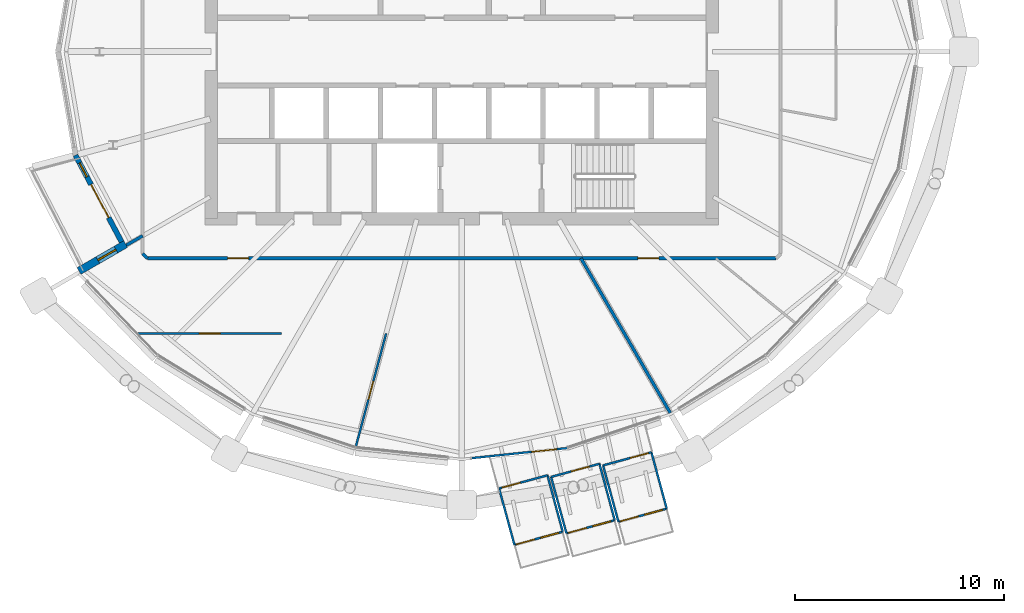
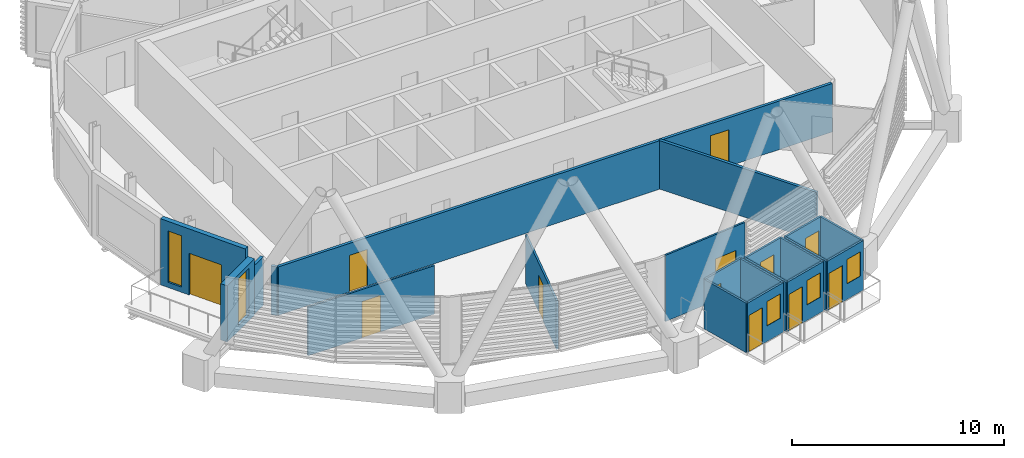
# One storey, part 22 of 35: 21 walls, 12 doors, 5 windows, 17 openings.
"""IFC4 building model written with IfcOpenShell, lengths in metres."""

from ifc_helpers import new_model, si_unit, direction, frame, frame_2d, origin, place, context, subcontext, project, spatial, rectangle, extrude, material, layer, layer_set, type_object, element, fill, save


model = new_model("IFC4")

# Units and contexts
model_context = context("Model", 3, precision=1e-05, world=origin(), true_north=direction((0.0, 1.0)))
body_context = subcontext(model_context, "Body", "Model", "MODEL_VIEW")
ifc_project = project(units=[si_unit("LENGTHUNIT", "METRE"), si_unit("AREAUNIT", "SQUARE_METRE"), si_unit("VOLUMEUNIT", "CUBIC_METRE"), si_unit("PLANEANGLEUNIT", "RADIAN"), si_unit("MASSUNIT", "GRAM", prefix="KILO")], contexts=[model_context])

# Site, building, storey
site_placement = place(None, origin())
site = spatial("IfcSite", under=ifc_project, at=site_placement, CompositionType="ELEMENT")
building_placement = place(site_placement, origin())
building = spatial("IfcBuilding", under=site, at=building_placement, Name="Rimbun Link Towers", CompositionType="ELEMENT")
storey_placement = place(building_placement, frame((0.0, 0.0, 181.699951171875)))
storey = spatial("IfcBuildingStorey", under=building, at=storey_placement, Name="L44", CompositionType="ELEMENT", Elevation=181.699951171875)

# Wall, openings, door, window
ifc_material_1 = material(Name="Terracotta-faced insulated sandwich panel", Category="masonry")
ifc_layer_1 = layer(ifc_material_1, 0.10009765625)
ifc_layer_set_1 = layer_set([ifc_layer_1], Name="CAPSULE entrance panel 100")
wall_type_1 = type_object("IfcWallType", Name="CAPSULE entrance panel 100", PredefinedType="STANDARD", material=ifc_layer_set_1)
wall_1_placement = place(storey_placement, frame((-24.246337890625, -22.5126953125, 0.0), z_axis=(0.0, 0.0, 1.0), x_axis=(0.965115063511, 0.261826114405, 0.0)))
wall_1 = element("IfcWall", 1, at=wall_1_placement, inside=storey, type_object=wall_type_1, Name="CAPSULE D441.01 shell panel 2", PredefinedType="STANDARD", context=body_context, shape_type="SweptSolid", body=[
    extrude(rectangle(XDim=2.400146484375, YDim=0.10009765625, at=frame_2d((1.2001953125, 0.0))), origin(), (0.0, 0.0, 1.0), 2.85009765625),
])
opening_1_placement = place(wall_1_placement, frame((0.10009765625, 0.0, 0.0)))
opening_1 = element("IfcOpeningElement", 2, at=opening_1_placement, cuts=wall_1, Name="Opening CD44.01", PredefinedType="OPENING", context=body_context, shape_type="SweptSolid", body=[
    extrude(rectangle(XDim=0.89990234375, YDim=2.10009765625, at=frame_2d((0.449951171875, 1.050048828125))), frame((0.0, 0.06005859375, 0.0), z_axis=(0.0, -1.0, 0.0), x_axis=(1.0, 0.0, 0.0)), (0.0, 0.0, 1.0), 0.1201171875),
])
opening_2_placement = place(wall_1_placement, frame((1.300048828125, 0.0, 0.89990234375)))
opening_2 = element("IfcOpeningElement", 3, at=opening_2_placement, cuts=wall_1, Name="Opening CN44.01", PredefinedType="OPENING", context=body_context, shape_type="SweptSolid", body=[
    extrude(rectangle(XDim=0.89990234375, YDim=1.39990234375, at=frame_2d((0.449951171875, 0.699951171875))), frame((0.0, 0.06005859375, 0.0), z_axis=(0.0, -1.0, 0.0), x_axis=(1.0, 0.0, 0.0)), (0.0, 0.0, 1.0), 0.1201171875),
])
ifc_material_2 = material(Name="Aluminium framed insulated door leaf", Category="aluminium")
door_type_1 = type_object("IfcDoorType", Name="CAPSULE door single leaf 900X2100", OperationType="SINGLE_SWING_LEFT", PredefinedType="DOOR", material=ifc_material_2)
door_1_placement = place(opening_1_placement, origin())
door_1 = element("IfcDoor", 4, at=door_1_placement, inside=storey, type_object=door_type_1, Name="CAPSULE D441.01 door", OperationType="SINGLE_SWING_LEFT", OverallHeight=2.10009765625, OverallWidth=0.89990234375, PredefinedType="DOOR", context=body_context, shape_type="SweptSolid", body=[
    extrude(rectangle(XDim=0.89990234375, YDim=2.10009765625, at=frame_2d((0.449951171875, 1.050048828125))), frame((0.0, 0.02490234375, 0.0), z_axis=(0.0, -1.0, 0.0), x_axis=(1.0, 0.0, 0.0)), (0.0, 0.0, 1.0), 0.050048828125),
])
fill(opening_1, door_1)
ifc_material_3 = material(Name="Aluminium framed window, low-iron glass", Category="aluminium")
window_type_1 = type_object("IfcWindowType", Name="CAPSULE window 900X1400", PartitioningType="SINGLE_PANEL", PredefinedType="WINDOW", material=ifc_material_3)
window_1_placement = place(opening_2_placement, origin())
window_1 = element("IfcWindow", 5, at=window_1_placement, inside=storey, type_object=window_type_1, Name="CAPSULE D441.01 window", OverallHeight=1.39990234375, OverallWidth=0.89990234375, PartitioningType="SINGLE_PANEL", PredefinedType="WINDOW", context=body_context, shape_type="SweptSolid", body=[
    extrude(rectangle(XDim=0.89990234375, YDim=1.39990234375, at=frame_2d((0.449951171875, 0.699951171875))), frame((0.0, 0.030029296875, 0.0), z_axis=(0.0, -1.0, 0.0), x_axis=(1.0, 0.0, 0.0)), (0.0, 0.0, 1.0), 0.06005859375),
])
fill(opening_2, window_1)

# Wall, opening, door
wall_2_placement = place(storey_placement, frame((-22.6630859375, -19.18212890625, 0.0), z_axis=(0.0, 0.0, 1.0), x_axis=(-0.965115063511, -0.261826114405, 0.0)))
wall_2 = element("IfcWall", 6, at=wall_2_placement, inside=storey, type_object=wall_type_1, Name="CAPSULE D441.01 shell panel 4", PredefinedType="STANDARD", context=body_context, shape_type="SweptSolid", body=[
    extrude(rectangle(XDim=2.400146484375, YDim=0.10009765625, at=frame_2d((1.2001953125, 0.0))), origin(), (0.0, 0.0, 1.0), 2.85009765625),
])
opening_3_placement = place(wall_2_placement, frame((0.14990234375, 0.0, 0.0)))
opening_3 = element("IfcOpeningElement", 7, at=opening_3_placement, cuts=wall_2, Name="Opening CE44.01", PredefinedType="OPENING", context=body_context, shape_type="SweptSolid", body=[
    extrude(rectangle(XDim=0.89990234375, YDim=2.10009765625, at=frame_2d((0.449951171875, 1.050048828125))), frame((0.0, 0.06005859375, 0.0), z_axis=(0.0, -1.0, 0.0), x_axis=(1.0, 0.0, 0.0)), (0.0, 0.0, 1.0), 0.1201171875),
])
door_2_placement = place(opening_3_placement, origin())
door_2 = element("IfcDoor", 8, at=door_2_placement, inside=storey, type_object=door_type_1, Name="CAPSULE D441.01 inner door", OperationType="SINGLE_SWING_LEFT", OverallHeight=2.10009765625, OverallWidth=0.89990234375, PredefinedType="DOOR", context=body_context, shape_type="SweptSolid", body=[
    extrude(rectangle(XDim=0.89990234375, YDim=2.10009765625, at=frame_2d((0.449951171875, 1.050048828125))), frame((0.0, 0.02490234375, 0.0), z_axis=(0.0, -1.0, 0.0), x_axis=(1.0, 0.0, 0.0)), (0.0, 0.0, 1.0), 0.050048828125),
])
fill(opening_3, door_2)

# Wall, openings, door, window
wall_3_placement = place(storey_placement, frame((-26.73583984375, -23.06494140625, 0.0), z_axis=(0.0, 0.0, 1.0), x_axis=(0.965115063511, 0.261826114405, 0.0)))
wall_3 = element("IfcWall", 9, at=wall_3_placement, inside=storey, type_object=wall_type_1, Name="CAPSULE D441.02 shell panel 2", PredefinedType="STANDARD", context=body_context, shape_type="SweptSolid", body=[
    extrude(rectangle(XDim=2.400146484375, YDim=0.10009765625, at=frame_2d((1.2001953125, 0.0))), origin(), (0.0, 0.0, 1.0), 2.85009765625),
])
opening_4_placement = place(wall_3_placement, frame((0.10009765625, 0.0, 0.0)))
opening_4 = element("IfcOpeningElement", 10, at=opening_4_placement, cuts=wall_3, Name="Opening CD44.02", PredefinedType="OPENING", context=body_context, shape_type="SweptSolid", body=[
    extrude(rectangle(XDim=0.89990234375, YDim=2.10009765625, at=frame_2d((0.449951171875, 1.050048828125))), frame((0.0, 0.06005859375, 0.0), z_axis=(0.0, -1.0, 0.0), x_axis=(1.0, 0.0, 0.0)), (0.0, 0.0, 1.0), 0.1201171875),
])
opening_5_placement = place(wall_3_placement, frame((1.300048828125, 0.0, 0.89990234375)))
opening_5 = element("IfcOpeningElement", 11, at=opening_5_placement, cuts=wall_3, Name="Opening CN44.02", PredefinedType="OPENING", context=body_context, shape_type="SweptSolid", body=[
    extrude(rectangle(XDim=0.89990234375, YDim=1.39990234375, at=frame_2d((0.449951171875, 0.699951171875))), frame((0.0, 0.06005859375, 0.0), z_axis=(0.0, -1.0, 0.0), x_axis=(1.0, 0.0, 0.0)), (0.0, 0.0, 1.0), 0.1201171875),
])
door_3_placement = place(opening_4_placement, origin())
door_3 = element("IfcDoor", 12, at=door_3_placement, inside=storey, type_object=door_type_1, Name="CAPSULE D441.02 door", OperationType="SINGLE_SWING_RIGHT", OverallHeight=2.10009765625, OverallWidth=0.89990234375, PredefinedType="DOOR", context=body_context, shape_type="SweptSolid", body=[
    extrude(rectangle(XDim=0.89990234375, YDim=2.10009765625, at=frame_2d((0.449951171875, 1.050048828125))), frame((0.0, 0.02490234375, 0.0), z_axis=(0.0, -1.0, 0.0), x_axis=(1.0, 0.0, 0.0)), (0.0, 0.0, 1.0), 0.050048828125),
])
fill(opening_4, door_3)
window_2_placement = place(opening_5_placement, origin())
window_2 = element("IfcWindow", 13, at=window_2_placement, inside=storey, type_object=window_type_1, Name="CAPSULE D441.02 window", OverallHeight=1.39990234375, OverallWidth=0.89990234375, PartitioningType="SINGLE_PANEL", PredefinedType="WINDOW", context=body_context, shape_type="SweptSolid", body=[
    extrude(rectangle(XDim=0.89990234375, YDim=1.39990234375, at=frame_2d((0.449951171875, 0.699951171875))), frame((0.0, 0.030029296875, 0.0), z_axis=(0.0, -1.0, 0.0), x_axis=(1.0, 0.0, 0.0)), (0.0, 0.0, 1.0), 0.06005859375),
])
fill(opening_5, window_2)

# Wall, opening, door
wall_4_placement = place(storey_placement, frame((-25.152587890625, -19.734130859375, 0.0), z_axis=(0.0, 0.0, 1.0), x_axis=(-0.965115063511, -0.261826114405, 0.0)))
wall_4 = element("IfcWall", 14, at=wall_4_placement, inside=storey, type_object=wall_type_1, Name="CAPSULE D441.02 shell panel 4", PredefinedType="STANDARD", context=body_context, shape_type="SweptSolid", body=[
    extrude(rectangle(XDim=2.400146484375, YDim=0.10009765625, at=frame_2d((1.2001953125, 0.0))), origin(), (0.0, 0.0, 1.0), 2.85009765625),
])
opening_6_placement = place(wall_4_placement, frame((0.5, 0.0, 0.0)))
opening_6 = element("IfcOpeningElement", 15, at=opening_6_placement, cuts=wall_4, Name="Opening CE44.02", PredefinedType="OPENING", context=body_context, shape_type="SweptSolid", body=[
    extrude(rectangle(XDim=0.89990234375, YDim=2.10009765625, at=frame_2d((0.449951171875, 1.050048828125))), frame((0.0, 0.06005859375, 0.0), z_axis=(0.0, -1.0, 0.0), x_axis=(1.0, 0.0, 0.0)), (0.0, 0.0, 1.0), 0.1201171875),
])
door_4_placement = place(opening_6_placement, origin())
door_4 = element("IfcDoor", 16, at=door_4_placement, inside=storey, type_object=door_type_1, Name="CAPSULE D441.02 inner door", OperationType="SINGLE_SWING_LEFT", OverallHeight=2.10009765625, OverallWidth=0.89990234375, PredefinedType="DOOR", context=body_context, shape_type="SweptSolid", body=[
    extrude(rectangle(XDim=0.89990234375, YDim=2.10009765625, at=frame_2d((0.449951171875, 1.050048828125))), frame((0.0, 0.02490234375, 0.0), z_axis=(0.0, -1.0, 0.0), x_axis=(1.0, 0.0, 0.0)), (0.0, 0.0, 1.0), 0.050048828125),
])
fill(opening_6, door_4)

# Wall, openings, door, window
wall_5_placement = place(storey_placement, frame((-29.225341796875, -23.616943359375, 0.0), z_axis=(0.0, 0.0, 1.0), x_axis=(0.965115063511, 0.261826114405, 0.0)))
wall_5 = element("IfcWall", 17, at=wall_5_placement, inside=storey, type_object=wall_type_1, Name="CAPSULE D441.03 shell panel 2", PredefinedType="STANDARD", context=body_context, shape_type="SweptSolid", body=[
    extrude(rectangle(XDim=2.400146484375, YDim=0.10009765625, at=frame_2d((1.2001953125, 0.0))), origin(), (0.0, 0.0, 1.0), 2.85009765625),
])
opening_7_placement = place(wall_5_placement, frame((0.10009765625, 0.0, 0.0)))
opening_7 = element("IfcOpeningElement", 18, at=opening_7_placement, cuts=wall_5, Name="Opening CD44.03", PredefinedType="OPENING", context=body_context, shape_type="SweptSolid", body=[
    extrude(rectangle(XDim=0.89990234375, YDim=2.10009765625, at=frame_2d((0.449951171875, 1.050048828125))), frame((0.0, 0.06005859375, 0.0), z_axis=(0.0, -1.0, 0.0), x_axis=(1.0, 0.0, 0.0)), (0.0, 0.0, 1.0), 0.1201171875),
])
opening_8_placement = place(wall_5_placement, frame((1.300048828125, 0.0, 0.89990234375)))
opening_8 = element("IfcOpeningElement", 19, at=opening_8_placement, cuts=wall_5, Name="Opening CN44.03", PredefinedType="OPENING", context=body_context, shape_type="SweptSolid", body=[
    extrude(rectangle(XDim=0.89990234375, YDim=1.39990234375, at=frame_2d((0.449951171875, 0.699951171875))), frame((0.0, 0.06005859375, 0.0), z_axis=(0.0, -1.0, 0.0), x_axis=(1.0, 0.0, 0.0)), (0.0, 0.0, 1.0), 0.1201171875),
])
door_5_placement = place(opening_7_placement, origin())
door_5 = element("IfcDoor", 20, at=door_5_placement, inside=storey, type_object=door_type_1, Name="CAPSULE D441.03 door", OperationType="SINGLE_SWING_LEFT", OverallHeight=2.10009765625, OverallWidth=0.89990234375, PredefinedType="DOOR", context=body_context, shape_type="SweptSolid", body=[
    extrude(rectangle(XDim=0.89990234375, YDim=2.10009765625, at=frame_2d((0.449951171875, 1.050048828125))), frame((0.0, 0.02490234375, 0.0), z_axis=(0.0, -1.0, 0.0), x_axis=(1.0, 0.0, 0.0)), (0.0, 0.0, 1.0), 0.050048828125),
])
fill(opening_7, door_5)
window_3_placement = place(opening_8_placement, origin())
window_3 = element("IfcWindow", 21, at=window_3_placement, inside=storey, type_object=window_type_1, Name="CAPSULE D441.03 window", OverallHeight=1.39990234375, OverallWidth=0.89990234375, PartitioningType="SINGLE_PANEL", PredefinedType="WINDOW", context=body_context, shape_type="SweptSolid", body=[
    extrude(rectangle(XDim=0.89990234375, YDim=1.39990234375, at=frame_2d((0.449951171875, 0.699951171875))), frame((0.0, 0.030029296875, 0.0), z_axis=(0.0, -1.0, 0.0), x_axis=(1.0, 0.0, 0.0)), (0.0, 0.0, 1.0), 0.06005859375),
])
fill(opening_8, window_3)

# Wall, opening, door
wall_6_placement = place(storey_placement, frame((-27.64208984375, -20.286376953125, 0.0), z_axis=(0.0, 0.0, 1.0), x_axis=(-0.965115063511, -0.261826114405, 0.0)))
wall_6 = element("IfcWall", 22, at=wall_6_placement, inside=storey, type_object=wall_type_1, Name="CAPSULE D441.03 shell panel 4", PredefinedType="STANDARD", context=body_context, shape_type="SweptSolid", body=[
    extrude(rectangle(XDim=2.400146484375, YDim=0.10009765625, at=frame_2d((1.2001953125, 0.0))), origin(), (0.0, 0.0, 1.0), 2.85009765625),
])
opening_9_placement = place(wall_6_placement, frame((1.35009765625, 0.0, 0.0)))
opening_9 = element("IfcOpeningElement", 23, at=opening_9_placement, cuts=wall_6, Name="Opening CE44.03", PredefinedType="OPENING", context=body_context, shape_type="SweptSolid", body=[
    extrude(rectangle(XDim=0.89990234375, YDim=2.10009765625, at=frame_2d((0.449951171875, 1.050048828125))), frame((0.0, 0.06005859375, 0.0), z_axis=(0.0, -1.0, 0.0), x_axis=(1.0, 0.0, 0.0)), (0.0, 0.0, 1.0), 0.1201171875),
])
door_6_placement = place(opening_9_placement, origin())
door_6 = element("IfcDoor", 24, at=door_6_placement, inside=storey, type_object=door_type_1, Name="CAPSULE D441.03 inner door", OperationType="SINGLE_SWING_LEFT", OverallHeight=2.10009765625, OverallWidth=0.89990234375, PredefinedType="DOOR", context=body_context, shape_type="SweptSolid", body=[
    extrude(rectangle(XDim=0.89990234375, YDim=2.10009765625, at=frame_2d((0.449951171875, 1.050048828125))), frame((0.0, 0.02490234375, 0.0), z_axis=(0.0, -1.0, 0.0), x_axis=(1.0, 0.0, 0.0)), (0.0, 0.0, 1.0), 0.050048828125),
])
fill(opening_9, door_6)

# Walls
ifc_material_4 = material(Name="Terracotta-faced insulated sandwich panel", Category="masonry")
ifc_layer_2 = layer(ifc_material_4, 0.10009765625)
ifc_layer_set_2 = layer_set([ifc_layer_2], Name="CAPSULE shell panel 100")
wall_type_2 = type_object("IfcWallType", Name="CAPSULE shell panel 100", PredefinedType="STANDARD", material=ifc_layer_set_2)
for number, where, z_axis, x_axis, name in (
    (25, (-24.9794921875, -19.810546875, 0.0), (0.0, 0.0, 1.0), (0.261855493293, -0.965107092831, 0.0), "CAPSULE D441.01 shell panel 1"),
    (26, (-21.929931640625, -21.88427734375, 0.0), (0.0, 0.0, 1.0), (-0.261855493293, 0.965107092831, 0.0), "CAPSULE D441.01 shell panel 3"),
):
    element("IfcWall", number, at=place(storey_placement, frame(where, z_axis=z_axis, x_axis=x_axis)), inside=storey, type_object=wall_type_2, Name=name, PredefinedType="STANDARD", context=body_context, shape_type="SweptSolid", body=[
        extrude(rectangle(XDim=2.7998046875, YDim=0.10009765625, at=frame_2d((1.39990234375, 0.0))), origin(), (0.0, 0.0, 1.0), 2.85009765625),
    ])
for number, where, z_axis, x_axis, name in (
    (27, (-27.468994140625, -20.362548828125, 0.0), (0.0, 0.0, 1.0), (0.261833458532, -0.965113071092, 0.0), "CAPSULE D441.02 shell panel 1"),
    (28, (-24.41943359375, -22.4365234375, 0.0), (0.0, 0.0, 1.0), (-0.261833458532, 0.965113071092, 0.0), "CAPSULE D441.02 shell panel 3"),
):
    element("IfcWall", number, at=place(storey_placement, frame(where, z_axis=z_axis, x_axis=x_axis)), inside=storey, type_object=wall_type_2, Name=name, PredefinedType="STANDARD", context=body_context, shape_type="SweptSolid", body=[
        extrude(rectangle(XDim=2.800048828125, YDim=0.10009765625, at=frame_2d((1.39990234375, 0.0))), origin(), (0.0, 0.0, 1.0), 2.85009765625),
    ])
for number, where, z_axis, x_axis, name in (
    (29, (-29.95849609375, -20.914794921875, 0.0), (0.0, 0.0, 1.0), (0.261855493293, -0.965107092831, 0.0), "CAPSULE D441.03 shell panel 1"),
    (30, (-26.908935546875, -22.988525390625, 0.0), (0.0, 0.0, 1.0), (-0.261855493293, 0.965107092831, 0.0), "CAPSULE D441.03 shell panel 3"),
):
    element("IfcWall", number, at=place(storey_placement, frame(where, z_axis=z_axis, x_axis=x_axis)), inside=storey, type_object=wall_type_2, Name=name, PredefinedType="STANDARD", context=body_context, shape_type="SweptSolid", body=[
        extrude(rectangle(XDim=2.7998046875, YDim=0.10009765625, at=frame_2d((1.39990234375, 0.0))), origin(), (0.0, 0.0, 1.0), 2.85009765625),
    ])

# Wall, openings, door, window
ifc_material_5 = material(Name="Dark enamelled glass spandrel on insulated aluminium backpan", Category="aluminium")
ifc_layer_3 = layer(ifc_material_5, 0.25)
ifc_layer_set_3 = layer_set([ifc_layer_3], Name="CS dark enamelled spandrel wall 250")
wall_type_3 = type_object("IfcWallType", Name="CS dark enamelled spandrel wall 250", PredefinedType="STANDARD", material=ifc_layer_set_3)
wall_7_placement = place(storey_placement, frame((-48.03125, -9.111328125, 0.0), z_axis=(0.0, 0.0, 1.0), x_axis=(-0.469884338994, 0.882727992061, 0.0)))
wall_7 = element("IfcWall", 31, at=wall_7_placement, inside=storey, type_object=wall_type_3, Name="Crease spandrel wall", PredefinedType="STANDARD", context=body_context, shape_type="SweptSolid", body=[
    extrude(rectangle(XDim=4.699462890625, YDim=0.25, at=frame_2d((2.349609375, 0.0))), origin(), (0.0, 0.0, 1.0), 3.800048828125),
])
opening_10_placement = place(wall_7_placement, frame((3.533203125, 0.0, 0.300048828125)))
opening_10 = element("IfcOpeningElement", 32, at=opening_10_placement, cuts=wall_7, Name="Opening WR08H295", PredefinedType="OPENING", context=body_context, shape_type="SweptSolid", body=[
    extrude(rectangle(XDim=0.75, YDim=2.949951171875, at=frame_2d((0.375, 1.47509765625))), frame((0.0, 0.135009765625, 0.0), z_axis=(0.0, -1.0, 0.0), x_axis=(1.0, 0.0, 0.0)), (0.0, 0.0, 1.0), 0.27001953125),
])
opening_11_placement = place(wall_7_placement, frame((1.316650390625, 0.0, 0.0)))
opening_11 = element("IfcOpeningElement", 33, at=opening_11_placement, cuts=wall_7, Name="Opening ED75", PredefinedType="OPENING", context=body_context, shape_type="SweptSolid", body=[
    extrude(rectangle(XDim=1.800048828125, YDim=2.39990234375, at=frame_2d((0.89990234375, 1.199951171875))), frame((0.0, 0.135009765625, 0.0), z_axis=(0.0, -1.0, 0.0), x_axis=(1.0, 0.0, 0.0)), (0.0, 0.0, 1.0), 0.27001953125),
])
ifc_material_6 = material(Name="Aluminium framed glazed door, low-iron glass", Category="aluminium")
door_type_2 = type_object("IfcDoorType", Name="ED terrace door double leaf 1800X2400", OperationType="DOUBLE_DOOR_SINGLE_SWING", PredefinedType="DOOR", material=ifc_material_6)
door_7_placement = place(opening_11_placement, origin())
door_7 = element("IfcDoor", 34, at=door_7_placement, inside=storey, type_object=door_type_2, Name="Terrace door", OperationType="SINGLE_SWING_LEFT", OverallHeight=2.39990234375, OverallWidth=1.800048828125, PredefinedType="DOOR", context=body_context, shape_type="SweptSolid", body=[
    extrude(rectangle(XDim=1.800048828125, YDim=2.39990234375, at=frame_2d((0.89990234375, 1.199951171875))), frame((0.0, 0.02490234375, 0.0), z_axis=(0.0, -1.0, 0.0), x_axis=(1.0, 0.0, 0.0)), (0.0, 0.0, 1.0), 0.050048828125),
])
fill(opening_11, door_7)
ifc_material_7 = material(Name="Aluminium framed fixed window, dark tinted low-e glass", Category="aluminium")
window_type_2 = type_object("IfcWindowType", Name="WR ribbon window 750X2950", PartitioningType="SINGLE_PANEL", PredefinedType="WINDOW", material=ifc_material_7)
window_4_placement = place(opening_10_placement, origin())
window_4 = element("IfcWindow", 35, at=window_4_placement, inside=storey, type_object=window_type_2, Name="Crease ribbon window", OverallHeight=2.949951171875, OverallWidth=0.75, PartitioningType="SINGLE_PANEL", PredefinedType="WINDOW", context=body_context, shape_type="SweptSolid", body=[
    extrude(rectangle(XDim=0.75, YDim=2.949951171875, at=frame_2d((0.375, 1.47509765625))), frame((0.0, 0.030029296875, 0.0), z_axis=(0.0, -1.0, 0.0), x_axis=(1.0, 0.0, 0.0)), (0.0, 0.0, 1.0), 0.06005859375),
])
fill(opening_10, window_4)

# Wall, opening, window
ifc_material_8 = material(Name="Dark enamelled glass spandrel on insulated aluminium backpan", Category="aluminium")
ifc_layer_4 = layer(ifc_material_8, 0.3701171875)
ifc_layer_set_4 = layer_set([ifc_layer_4], Name="CS dark enamelled spandrel wall 370")
wall_type_4 = type_object("IfcWallType", Name="CS dark enamelled spandrel wall 370", PredefinedType="STANDARD", material=ifc_layer_set_4)
wall_8_placement = place(storey_placement, frame((-50.072265625, -10.50341796875, 0.0), z_axis=(0.0, 0.0, 1.0), x_axis=(0.866021702275, 0.500006411147, 0.0)))
wall_8 = element("IfcWall", 36, at=wall_8_placement, inside=storey, type_object=wall_type_4, Name="Crease spandrel wall", PredefinedType="STANDARD", context=body_context, shape_type="SweptSolid", body=[
    extrude(rectangle(XDim=2.580078125, YDim=0.3701171875, at=frame_2d((1.2900390625, 0.0))), origin(), (0.0, 0.0, 1.0), 3.233642578125),
])
opening_12_placement = place(wall_8_placement, frame((1.041015625, 0.0, 0.300048828125)))
opening_12 = element("IfcOpeningElement", 37, at=opening_12_placement, cuts=wall_8, Name="Opening WR10H270", PredefinedType="OPENING", context=body_context, shape_type="SweptSolid", body=[
    extrude(rectangle(XDim=1.0, YDim=2.699951171875, at=frame_2d((0.5, 1.35009765625))), frame((0.0, 0.195068359375, 0.0), z_axis=(0.0, -1.0, 0.0), x_axis=(1.0, 0.0, 0.0)), (0.0, 0.0, 1.0), 0.39013671875),
])
ifc_material_9 = material(Name="Aluminium framed fixed window, dark tinted low-e glass", Category="aluminium")
window_type_3 = type_object("IfcWindowType", Name="WR ribbon window 1000X2700", PartitioningType="SINGLE_PANEL", PredefinedType="WINDOW", material=ifc_material_9)
window_5_placement = place(opening_12_placement, origin())
window_5 = element("IfcWindow", 38, at=window_5_placement, inside=storey, type_object=window_type_3, Name="Crease ribbon window", OverallHeight=2.699951171875, OverallWidth=1.0, PartitioningType="SINGLE_PANEL", PredefinedType="WINDOW", context=body_context, shape_type="SweptSolid", body=[
    extrude(rectangle(XDim=1.0, YDim=2.699951171875, at=frame_2d((0.5, 1.35009765625))), frame((0.0, 0.030029296875, 0.0), z_axis=(0.0, -1.0, 0.0), x_axis=(1.0, 0.0, 0.0)), (0.0, 0.0, 1.0), 0.06005859375),
])
fill(opening_12, window_5)

# Wall, openings, doors
ifc_material_10 = material(Name="Plasterboard on steel stud, mineral wool", Category="steel")
ifc_layer_5 = layer(ifc_material_10, 0.14990234375)
ifc_layer_set_5 = layer_set([ifc_layer_5], Name="Corridor wall EI 30 150 mm")
wall_type_5 = type_object("IfcWallType", Name="Corridor wall EI 30 150 mm", PredefinedType="PARTITIONING", material=ifc_layer_set_5)
wall_9_placement = place(storey_placement, frame((-16.6962890625, -9.89501953125, 0.0), z_axis=(0.0, 0.0, 1.0), x_axis=(-1.0, 0.0, 0.0)))
wall_9 = element("IfcWall", 39, at=wall_9_placement, inside=storey, type_object=wall_type_5, Name="Corridor wall EI 30 150 mm", PredefinedType="PARTITIONING", context=body_context, shape_type="SweptSolid", body=[
    extrude(rectangle(XDim=30.107421875, YDim=0.14990234375, at=frame_2d((15.0537109375, 0.0))), origin(), (0.0, 0.0, 1.0), 2.7890625),
])
opening_13_placement = place(wall_9_placement, frame((25.255615234375, 0.0, 0.0)))
opening_13 = element("IfcOpeningElement", 40, at=opening_13_placement, cuts=wall_9, Name="Opening D01", PredefinedType="OPENING", context=body_context, shape_type="SweptSolid", body=[
    extrude(rectangle(XDim=1.0, YDim=2.10009765625, at=frame_2d((0.5, 1.050048828125))), frame((0.0, 0.0849609375, 0.0), z_axis=(0.0, -1.0, 0.0), x_axis=(1.0, 0.0, 0.0)), (0.0, 0.0, 1.0), 0.169921875),
])
opening_14_placement = place(wall_9_placement, frame((5.614501953125, 0.0, 0.0)))
opening_14 = element("IfcOpeningElement", 41, at=opening_14_placement, cuts=wall_9, Name="Opening D01", PredefinedType="OPENING", context=body_context, shape_type="SweptSolid", body=[
    extrude(rectangle(XDim=1.0, YDim=2.10009765625, at=frame_2d((0.5, 1.050048828125))), frame((0.0, 0.0849609375, 0.0), z_axis=(0.0, -1.0, 0.0), x_axis=(1.0, 0.0, 0.0)), (0.0, 0.0, 1.0), 0.169921875),
])
ifc_material_11 = material(Name="Fire-resisting timber door leaf", Category="wood")
door_type_3 = type_object("IfcDoorType", Name="Fire door FD30S 1000", OperationType="NOTDEFINED", PredefinedType="DOOR", material=ifc_material_11)
door_8_placement = place(opening_13_placement, origin())
door_8 = element("IfcDoor", 42, at=door_8_placement, inside=storey, type_object=door_type_3, Name="Fire door FD30S 1000 to Tenant lobby", OperationType="SINGLE_SWING_LEFT", OverallHeight=2.10009765625, OverallWidth=1.0, PredefinedType="DOOR", context=body_context, shape_type="SweptSolid", body=[
    extrude(rectangle(XDim=1.0, YDim=2.10009765625, at=frame_2d((0.5, 1.050048828125))), frame((0.0, 0.02490234375, 0.0), z_axis=(0.0, -1.0, 0.0), x_axis=(1.0, 0.0, 0.0)), (0.0, 0.0, 1.0), 0.050048828125),
])
fill(opening_13, door_8)
door_9_placement = place(opening_14_placement, origin())
door_9 = element("IfcDoor", 43, at=door_9_placement, inside=storey, type_object=door_type_3, Name="Fire door FD30S 1000 to Tenant lobby", OperationType="SINGLE_SWING_RIGHT", OverallHeight=2.10009765625, OverallWidth=1.0, PredefinedType="DOOR", context=body_context, shape_type="SweptSolid", body=[
    extrude(rectangle(XDim=1.0, YDim=2.10009765625, at=frame_2d((0.5, 1.050048828125))), frame((0.0, 0.02490234375, 0.0), z_axis=(0.0, -1.0, 0.0), x_axis=(1.0, 0.0, 0.0)), (0.0, 0.0, 1.0), 0.050048828125),
])
fill(opening_14, door_9)

# Wall
wall_10_placement = place(storey_placement, frame((-47.02490234375, -9.673583984375, 0.0), z_axis=(0.0, 0.0, 1.0), x_axis=(0.706716653396, -0.707496693853, 0.0)))
element("IfcWall", 44, at=wall_10_placement, inside=storey, type_object=wall_type_5, Name="Corridor wall EI 30 150 mm", PredefinedType="PARTITIONING", context=body_context, shape_type="SweptSolid", body=[
    extrude(rectangle(XDim=0.31298828125, YDim=0.14990234375, at=frame_2d((0.156494140625, 0.0))), origin(), (0.0, 0.0, 1.0), 2.7890625),
])

# Wall, opening, door
ifc_material_12 = material(Name="Aluminium framed insulated infill panel", Category="aluminium")
ifc_layer_6 = layer(ifc_material_12, 0.10009765625)
ifc_layer_set_6 = layer_set([ifc_layer_6], Name="ED framed infill wall 100")
wall_type_6 = type_object("IfcWallType", Name="ED framed infill wall 100", PredefinedType="STANDARD", material=ifc_layer_set_6)
wall_11_placement = place(storey_placement, frame((-26.692138671875, -18.982666015625, 0.0), z_axis=(0.0, 0.0, 1.0), x_axis=(-0.994499648387, -0.104739912918, 0.0)))
wall_11 = element("IfcWall", 45, at=wall_11_placement, inside=storey, type_object=wall_type_6, Name="Framed door bay wall", PredefinedType="STANDARD", context=body_context, shape_type="SweptSolid", body=[
    extrude(rectangle(XDim=4.610595703125, YDim=0.10009765625, at=frame_2d((2.30517578125, 0.0))), origin(), (0.0, 0.0, 1.0), 3.800048828125),
])
opening_15_placement = place(wall_11_placement, frame((0.514404296875, 0.0, 0.0)))
opening_15 = element("IfcOpeningElement", 46, at=opening_15_placement, cuts=wall_11, Name="Opening ED89", PredefinedType="OPENING", context=body_context, shape_type="SweptSolid", body=[
    extrude(rectangle(XDim=1.199951171875, YDim=2.39990234375, at=frame_2d((0.60009765625, 1.199951171875))), frame((0.0, 0.06005859375, 0.0), z_axis=(0.0, -1.0, 0.0), x_axis=(1.0, 0.0, 0.0)), (0.0, 0.0, 1.0), 0.1201171875),
])
ifc_material_13 = material(Name="Aluminium framed glazed door, low-iron glass", Category="aluminium")
door_type_4 = type_object("IfcDoorType", Name="ED terrace door double leaf 1200X2400", OperationType="DOUBLE_DOOR_SINGLE_SWING", PredefinedType="DOOR", material=ifc_material_13)
door_10_placement = place(opening_15_placement, origin())
door_10 = element("IfcDoor", 47, at=door_10_placement, inside=storey, type_object=door_type_4, Name="Terrace door", OperationType="SINGLE_SWING_LEFT", OverallHeight=2.39990234375, OverallWidth=1.199951171875, PredefinedType="DOOR", context=body_context, shape_type="SweptSolid", body=[
    extrude(rectangle(XDim=1.199951171875, YDim=2.39990234375, at=frame_2d((0.60009765625, 1.199951171875))), frame((0.0, 0.02490234375, 0.0), z_axis=(0.0, -1.0, 0.0), x_axis=(1.0, 0.0, 0.0)), (0.0, 0.0, 1.0), 0.050048828125),
])
fill(opening_15, door_10)

ifc_material_14 = material(Name="Plasterboard on steel stud", Category="steel")
ifc_layer_7 = layer(ifc_material_14, 0.10009765625)
ifc_layer_set_7 = layer_set([ifc_layer_7], Name="Plasterboard partition 100 mm")
wall_type_7 = type_object("IfcWallType", Name="Plasterboard partition 100 mm", PredefinedType="PARTITIONING", material=ifc_layer_set_7)
wall_12_placement = place(storey_placement, frame((-40.37451171875, -13.4951171875, 0.0), z_axis=(0.0, 0.0, 1.0), x_axis=(-1.0, 0.0, 0.0)))
wall_12 = element("IfcWall", 48, at=wall_12_placement, inside=storey, type_object=wall_type_7, Name="Plasterboard partition 100 mm", PredefinedType="PARTITIONING", context=body_context, shape_type="SweptSolid", body=[
    extrude(rectangle(XDim=6.877685546875, YDim=0.10009765625, at=frame_2d((3.43896484375, 0.0))), origin(), (0.0, 0.0, 1.0), 2.7890625),
])
opening_16_placement = place(wall_12_placement, frame((2.938720703125, 0.0, 0.0)))
opening_16 = element("IfcOpeningElement", 49, at=opening_16_placement, cuts=wall_12, Name="Opening D03", PredefinedType="OPENING", context=body_context, shape_type="SweptSolid", body=[
    extrude(rectangle(XDim=1.0, YDim=2.10009765625, at=frame_2d((0.5, 1.050048828125))), frame((0.0, 0.06005859375, 0.0), z_axis=(0.0, -1.0, 0.0), x_axis=(1.0, 0.0, 0.0)), (0.0, 0.0, 1.0), 0.1201171875),
])
ifc_material_15 = material(Name="Timber door leaf", Category="wood")
door_type_5 = type_object("IfcDoorType", Name="Flush door 1000", OperationType="NOTDEFINED", PredefinedType="DOOR", material=ifc_material_15)
door_11_placement = place(opening_16_placement, origin())
door_11 = element("IfcDoor", 50, at=door_11_placement, inside=storey, type_object=door_type_5, Name="Flush door 1000 to Open office", OperationType="SINGLE_SWING_RIGHT", OverallHeight=2.10009765625, OverallWidth=1.0, PredefinedType="DOOR", context=body_context, shape_type="SweptSolid", body=[
    extrude(rectangle(XDim=1.0, YDim=2.10009765625, at=frame_2d((0.5, 1.050048828125))), frame((0.0, 0.02490234375, 0.0), z_axis=(0.0, -1.0, 0.0), x_axis=(1.0, 0.0, 0.0)), (0.0, 0.0, 1.0), 0.050048828125),
])
fill(opening_16, door_11)

wall_13_placement = place(storey_placement, frame((-35.365966796875, -13.4951171875, 0.0), z_axis=(0.0, 0.0, 1.0), x_axis=(-0.258823547375, -0.965924619897, 0.0)))
wall_13 = element("IfcWall", 51, at=wall_13_placement, inside=storey, type_object=wall_type_7, Name="Plasterboard partition 100 mm", PredefinedType="PARTITIONING", context=body_context, shape_type="SweptSolid", body=[
    extrude(rectangle(XDim=5.62744140625, YDim=0.10009765625, at=frame_2d((2.813720703125, 0.0))), origin(), (0.0, 0.0, 1.0), 2.7890625),
])
opening_17_placement = place(wall_13_placement, frame((2.36376953125, 0.0, 0.0)))
opening_17 = element("IfcOpeningElement", 52, at=opening_17_placement, cuts=wall_13, Name="Opening D04", PredefinedType="OPENING", context=body_context, shape_type="SweptSolid", body=[
    extrude(rectangle(XDim=0.89990234375, YDim=2.10009765625, at=frame_2d((0.449951171875, 1.050048828125))), frame((0.0, 0.06005859375, 0.0), z_axis=(0.0, -1.0, 0.0), x_axis=(1.0, 0.0, 0.0)), (0.0, 0.0, 1.0), 0.1201171875),
])
ifc_material_16 = material(Name="Timber door leaf", Category="wood")
door_type_6 = type_object("IfcDoorType", Name="Flush door 900", OperationType="NOTDEFINED", PredefinedType="DOOR", material=ifc_material_16)
door_12_placement = place(opening_17_placement, origin())
door_12 = element("IfcDoor", 53, at=door_12_placement, inside=storey, type_object=door_type_6, Name="Flush door 900 to Project room", OperationType="SINGLE_SWING_LEFT", OverallHeight=2.10009765625, OverallWidth=0.89990234375, PredefinedType="DOOR", context=body_context, shape_type="SweptSolid", body=[
    extrude(rectangle(XDim=0.89990234375, YDim=2.10009765625, at=frame_2d((0.449951171875, 1.050048828125))), frame((0.0, 0.02490234375, 0.0), z_axis=(0.0, -1.0, 0.0), x_axis=(1.0, 0.0, 0.0)), (0.0, 0.0, 1.0), 0.050048828125),
])
fill(opening_17, door_12)

# Walls
ifc_material_17 = material(Name="Plasterboard on steel stud, mineral wool", Category="steel")
ifc_layer_8 = layer(ifc_material_17, 0.14990234375)
ifc_layer_set_8 = layer_set([ifc_layer_8], Name="Tenancy separation wall EI 60 150 mm")
wall_type_8 = type_object("IfcWallType", Name="Tenancy separation wall EI 60 150 mm", PredefinedType="PARTITIONING", material=ifc_layer_set_8)
wall_14_placement = place(storey_placement, frame((-47.02490234375, -8.819091796875, 0.0), z_axis=(0.0, 0.0, 1.0), x_axis=(-0.866117924323, -0.499839715476, 0.0)))
element("IfcWall", 54, at=wall_14_placement, inside=storey, type_object=wall_type_8, Name="Tenancy separation wall EI 60 150 mm", PredefinedType="PARTITIONING", context=body_context, shape_type="SweptSolid", body=[
    extrude(rectangle(XDim=0.901123046875, YDim=0.14990234375, at=frame_2d((0.45068359375, 0.0))), origin(), (0.0, 0.0, 1.0), 2.7890625),
])
wall_15_placement = place(storey_placement, frame((-26.037109375, -9.89501953125, 0.0), z_axis=(0.0, 0.0, 1.0), x_axis=(0.499998391746, -0.866026332309, 0.0)))
element("IfcWall", 55, at=wall_15_placement, inside=storey, type_object=wall_type_8, Name="Tenancy separation wall EI 60 150 mm", PredefinedType="PARTITIONING", context=body_context, shape_type="SweptSolid", body=[
    extrude(rectangle(XDim=8.55224609375, YDim=0.14990234375, at=frame_2d((4.276123046875, 0.0))), origin(), (0.0, 0.0, 1.0), 2.7890625),
])

save(model, "model.ifc")
